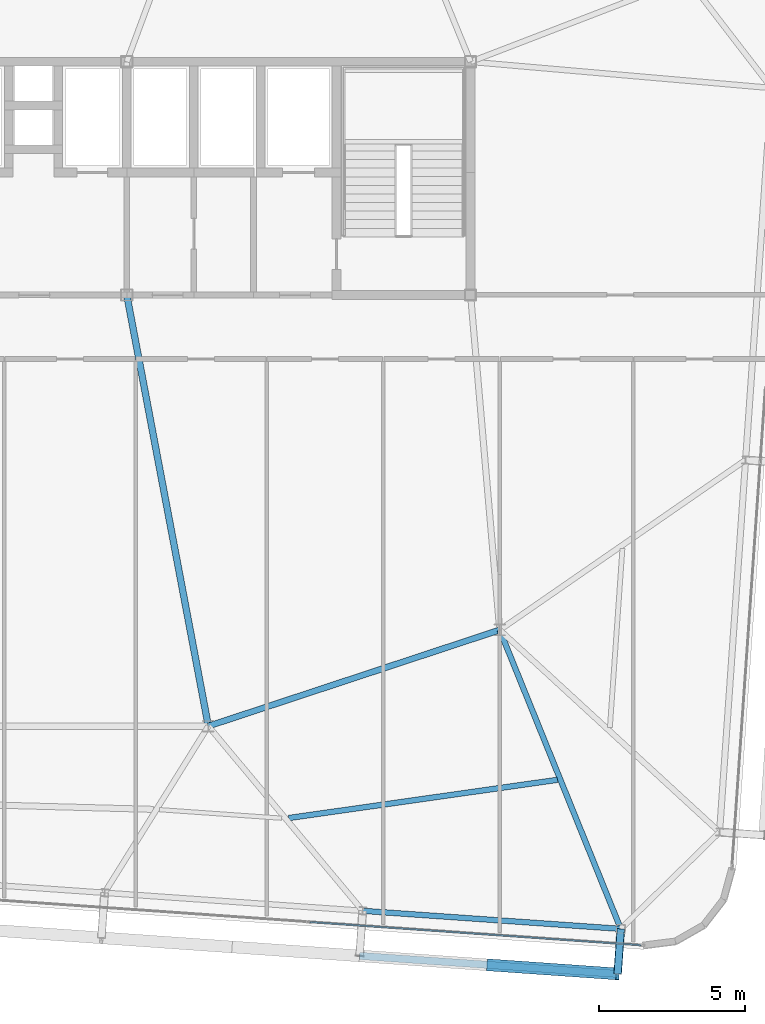
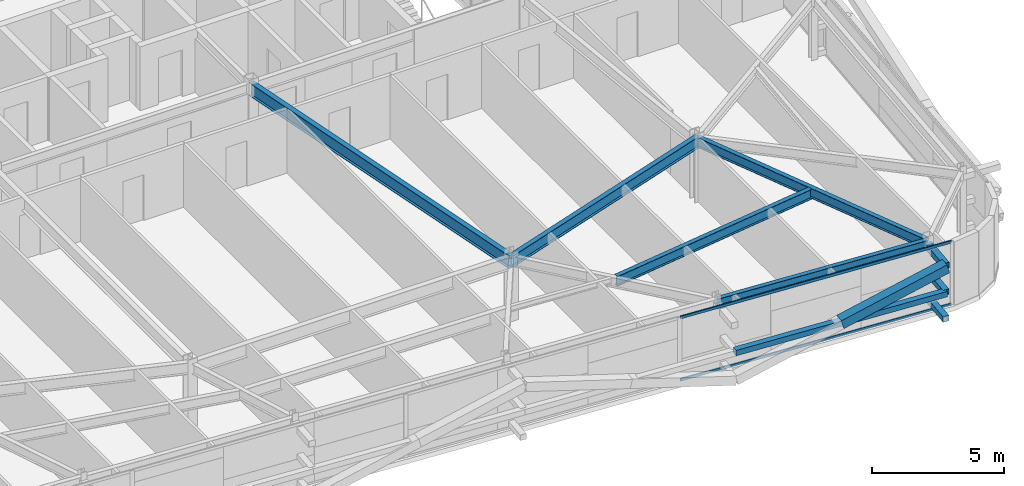
# One storey, part 14 of 39: 7 members, 5 beams, 1 element without a shape of its own.
"""IFC4 building model written with IfcOpenShell, lengths in metres."""

from ifc_helpers import new_model, si_unit, direction, frame, origin, origin_2d, place, context, subcontext, project, spatial, hollow_rectangle, i_section, extrude, source, transform, mapped, material, layer, layer_set, material_profile, profile_set, type_object, element, aggregate, save


model = new_model("IFC4")

# Units and contexts
model_context = context("Model", 3, precision=1e-05, world=origin(), true_north=direction((0.0, 1.0)))
body_context = subcontext(model_context, "Body", "Model", "MODEL_VIEW")
ifc_project = project(units=[si_unit("LENGTHUNIT", "METRE"), si_unit("AREAUNIT", "SQUARE_METRE"), si_unit("VOLUMEUNIT", "CUBIC_METRE"), si_unit("PLANEANGLEUNIT", "RADIAN"), si_unit("MASSUNIT", "GRAM", prefix="KILO")], contexts=[model_context])

# Site, building, storey
site_placement = place(None, origin())
site = spatial("IfcSite", under=ifc_project, at=site_placement, CompositionType="ELEMENT")
building_placement = place(site_placement, origin())
building = spatial("IfcBuilding", under=site, at=building_placement, Name="Taldren Reach Tower", CompositionType="ELEMENT")
storey_placement = place(building_placement, frame((0.0, 0.0, 158.199951171875)))
storey = spatial("IfcBuildingStorey", under=building, at=storey_placement, Name="L48", CompositionType="ELEMENT", Elevation=158.199951171875)

# Beams
ifc_material_1 = material(Name="Steel Gr 350 (350PLUS)", Category="steel")
ifc_material_profile_1 = material_profile(ifc_material_1, i_section(OverallWidth=0.208984375, OverallDepth=0.532958984375, WebThickness=0.01025390625, FlangeThickness=0.015625, at=origin_2d()), Name="530UB92.4")
ifc_profile_set_1 = profile_set([ifc_material_profile_1], Name="Steel Gr 350 (350PLUS)")
beam_type_1 = type_object("IfcBeamType", Name="BM-UB530A", PredefinedType="BEAM", material=ifc_profile_set_1)
shared_shape_1 = source(origin(), body_context, "Body", "SweptSolid", [
    extrude(i_section(OverallWidth=0.208984375, OverallDepth=0.532958984375, WebThickness=0.01025390625, FlangeThickness=0.015625, at=origin_2d()), origin(), (0.0, 0.0, 1.0), 10.530517578125),
])
beam_1_placement = place(storey_placement, frame((42.0, 9.199951171875, 2.66357421875), z_axis=(0.949627269203, 0.313381635689, 0.0), x_axis=(-0.313381635689, 0.949627269203, 0.0)))
element("IfcBeam", 1, at=beam_1_placement, inside=storey, type_object=beam_type_1, Name="Core-spine girder L48-SP12", PredefinedType="BEAM", context=body_context, shape_type="MappedRepresentation", body=[
    mapped(shared_shape_1, transform((0.0, 0.0, 0.0), scale=1.0)),
])
ifc_material_profile_2 = material_profile(ifc_material_1, i_section(OverallWidth=0.22802734375, OverallDepth=0.60205078125, WebThickness=0.010498046875, FlangeThickness=0.014892578125, at=origin_2d()), Name="610UB101")
ifc_profile_set_2 = profile_set([ifc_material_profile_2], Name="Steel Gr 350 (350PLUS)")
beam_type_2 = type_object("IfcBeamType", Name="BM-UB610B", PredefinedType="BEAM", material=ifc_profile_set_2)
shared_shape_2 = source(origin(), body_context, "Body", "SweptSolid", [
    extrude(i_section(OverallWidth=0.22802734375, OverallDepth=0.60205078125, WebThickness=0.010498046875, FlangeThickness=0.014892578125, at=origin_2d()), origin(), (0.0, 0.0, 1.0), 15.0625),
])
beam_2_placement = place(storey_placement, frame((39.199951171875, 24.0, 2.629150390625), z_axis=(0.185894205668, -0.982569765614, 0.0), x_axis=(0.982569765614, 0.185894205668, 0.0)))
element("IfcBeam", 2, at=beam_2_placement, inside=storey, type_object=beam_type_2, Name="Core-spine girder L48-SP15", PredefinedType="BEAM", context=body_context, shape_type="MappedRepresentation", body=[
    mapped(shared_shape_2, transform((0.0, 0.0, 0.0), scale=1.0)),
])

# Members
ifc_material_2 = material(Name="Steel Gr 450 (C450L0)", Category="steel")
ifc_material_profile_3 = material_profile(ifc_material_2, hollow_rectangle(XDim=0.27490234375, YDim=0.27490234375, WallThickness=0.00927734375, at=origin_2d()), Name="275x275x9.3SHS")
ifc_profile_set_3 = profile_set([ifc_material_profile_3], Name="Steel Gr 450 (C450L0)")
member_type_1 = type_object("IfcMemberType", Name="MB-TIE273", PredefinedType="STRUT", material=ifc_profile_set_3)
shared_shape_3 = source(origin(), body_context, "Body", "SweptSolid", [
    extrude(hollow_rectangle(XDim=0.27490234375, YDim=0.27490234375, WallThickness=0.00927734375, at=origin_2d()), origin(), (0.0, 0.0, 1.0), 1.5498046875),
])
member_1_placement = place(storey_placement, frame((56.155517578125, 2.2412109375, 2.650146484375), z_axis=(-0.069780535098, -0.997562367434, 0.0), x_axis=(0.997562367434, -0.069780535098, 0.0)))
element("IfcMember", 3, at=member_1_placement, inside=storey, type_object=member_type_1, Name="Exoskeleton diaphragm tie strut B3-S6 L48", PredefinedType="STRUT", context=body_context, shape_type="MappedRepresentation", body=[
    mapped(shared_shape_3, transform((0.0, 0.0, 0.0), scale=1.0)),
])
ifc_material_3 = material(Name="Steel Gr 350 (C350L0)", Category="steel")
ifc_material_profile_4 = material_profile(ifc_material_3, hollow_rectangle(XDim=0.25, YDim=0.25, WallThickness=0.010009765625, at=origin_2d()), Name="250x250x10.0SHS")
ifc_profile_set_4 = profile_set([ifc_material_profile_4], Name="Steel Gr 350 (C350L0)")
member_type_2 = type_object("IfcMemberType", Name="MB-POST250", PredefinedType="POST", material=ifc_profile_set_4)
shared_shape_4 = source(origin(), body_context, "Body", "SweptSolid", [
    extrude(hollow_rectangle(XDim=0.25, YDim=0.25, WallThickness=0.010009765625, at=origin_2d()), origin(), (0.0, 0.0, 1.0), 1.5498046875),
])
for number, where, z_axis, x_axis, name in (
    (4, (56.155517578125, 2.2412109375, 0.219970703125), (-0.069780535098, -0.997562367434, 0.0), (0.997562367434, -0.069780535098, 0.0), "Exoskeleton base diaphragm tie strut B3-S6 L48"),
    (5, (56.155517578125, 2.2412109375, 1.43505859375), (-0.069780535098, -0.997562367434, 0.0), (0.997562367434, -0.069780535098, 0.0), "Exoskeleton mid-tier diaphragm tie B3-S6 L48"),
):
    element("IfcMember", number, at=place(storey_placement, frame(where, z_axis=z_axis, x_axis=x_axis)), inside=storey, type_object=member_type_2, Name=name, PredefinedType="POST", context=body_context, shape_type="MappedRepresentation", body=[
        mapped(shared_shape_4, transform((0.0, 0.0, 0.0), scale=1.0)),
    ])

# Beams
ifc_material_profile_5 = material_profile(ifc_material_1, i_section(OverallWidth=0.18994140625, OverallDepth=0.4541015625, WebThickness=0.008544921875, FlangeThickness=0.0126953125, at=origin_2d()), Name="460UB67.1")
ifc_profile_set_5 = profile_set([ifc_material_profile_5], Name="Steel Gr 350 (350PLUS)")
beam_type_3 = type_object("IfcBeamType", Name="SP-UB460B", PredefinedType="SPANDREL", material=ifc_profile_set_5)
shared_shape_5 = source(origin(), body_context, "Body", "SweptSolid", [
    extrude(i_section(OverallWidth=0.18994140625, OverallDepth=0.4541015625, WebThickness=0.008544921875, FlangeThickness=0.0126953125, at=origin_2d()), origin(), (0.0, 0.0, 1.0), 8.880126953125),
])
beam_3_placement = place(storey_placement, frame((47.297119140625, 2.860595703125, 2.703125), z_axis=(0.997564479639, -0.069750333063, 0.0), x_axis=(0.069750333063, 0.997564479639, 0.0)))
element("IfcBeam", 6, at=beam_3_placement, inside=storey, type_object=beam_type_3, Name="Perimeter spandrel B3 S5-S6 L48", PredefinedType="SPANDREL", context=body_context, shape_type="MappedRepresentation", body=[
    mapped(shared_shape_5, transform((0.0, 0.0, 0.0), scale=1.0)),
])
ifc_material_profile_6 = material_profile(ifc_material_1, i_section(OverallWidth=0.19091796875, OverallDepth=0.4599609375, WebThickness=0.010009765625, FlangeThickness=0.01611328125, at=origin_2d()), Name="460UB82.1")
ifc_profile_set_6 = profile_set([ifc_material_profile_6], Name="Steel Gr 350 (350PLUS)")
beam_type_4 = type_object("IfcBeamType", Name="BM-UB460A", PredefinedType="BEAM", material=ifc_profile_set_6)
shared_shape_6 = source(origin(), body_context, "Body", "SweptSolid", [
    extrude(i_section(OverallWidth=0.19091796875, OverallDepth=0.4599609375, WebThickness=0.010009765625, FlangeThickness=0.01611328125, at=origin_2d()), origin(), (0.0, 0.0, 1.0), 11.068359375),
])
beam_4_placement = place(storey_placement, frame((52.0, 12.5, 2.699951171875), z_axis=(0.375437319636, -0.92684778633, 0.0), x_axis=(0.92684778633, 0.375437319636, 0.0)))
element("IfcBeam", 7, at=beam_4_placement, inside=storey, type_object=beam_type_4, Name="Primary floor girder B3-S6 L48", PredefinedType="BEAM", context=body_context, shape_type="MappedRepresentation", body=[
    mapped(shared_shape_6, transform((0.0, 0.0, 0.0), scale=1.0)),
])
shared_shape_7 = source(origin(), body_context, "Body", "SweptSolid", [
    extrude(i_section(OverallWidth=0.19091796875, OverallDepth=0.4599609375, WebThickness=0.010009765625, FlangeThickness=0.01611328125, at=origin_2d()), origin(), (0.0, 0.0, 1.0), 9.313232421875),
])
beam_5_placement = place(storey_placement, frame((44.759765625, 6.046142578125, 2.699951171875), z_axis=(0.990049385514, 0.140720340547, 0.0), x_axis=(-0.140720340547, 0.990049385514, 0.0)))
element("IfcBeam", 8, at=beam_5_placement, inside=storey, type_object=beam_type_4, Name="Secondary floor beam B3 J5 L48", PredefinedType="BEAM", context=body_context, shape_type="MappedRepresentation", body=[
    mapped(shared_shape_7, transform((0.0, 0.0, 0.0), scale=1.0)),
])

# Members
shared_shape_8 = source(origin(), body_context, "Body", "SweptSolid", [
    extrude(hollow_rectangle(XDim=0.25, YDim=0.25, WallThickness=0.010009765625, at=origin_2d()), origin(), (0.0, 0.0, 1.0), 8.880126953125),
])
member_2_placement = place(storey_placement, frame((47.18896484375, 1.314453125, 1.43505859375), z_axis=(0.997564479639, -0.069750333063, 0.0), x_axis=(0.069750333063, 0.997564479639, 0.0)))
element("IfcMember", 9, at=member_2_placement, inside=storey, type_object=member_type_2, Name="Exoskeleton mid-height ring chord B3-S5 L48", PredefinedType="POST", context=body_context, shape_type="MappedRepresentation", body=[
    mapped(shared_shape_8, transform((0.0, 0.0, 0.0), scale=1.0)),
])
ifc_material_profile_7 = material_profile(ifc_material_2, hollow_rectangle(XDim=0.409912109375, YDim=0.409912109375, WallThickness=0.01611328125, at=origin_2d()), Name="410x410x16.0SHS")
ifc_profile_set_7 = profile_set([ifc_material_profile_7], Name="Steel Gr 450 (C450L0)")
member_type_3 = type_object("IfcMemberType", Name="MB-EXO406", PredefinedType="BRACE", material=ifc_profile_set_7)
shared_shape_9 = source(origin(), body_context, "Body", "SweptSolid", [
    extrude(hollow_rectangle(XDim=0.409912109375, YDim=0.409912109375, WallThickness=0.01611328125, at=origin_2d()), origin(), (0.0, 0.0, 1.0), 4.603271484375),
])
member_3_placement = place(storey_placement, frame((51.6181640625, 1.004638671875, 1.43505859375), z_axis=(0.962185784239, -0.067250114343, 0.263962002434), x_axis=(0.069722973508, 0.997566392259, 0.0)))
element("IfcMember", 10, at=member_3_placement, inside=storey, type_object=member_type_3, Name="Exoskeleton Diagrid Brace B3-S5 L48", PredefinedType="BRACE", context=body_context, shape_type="MappedRepresentation", body=[
    mapped(shared_shape_9, transform((0.0, 0.0, 0.0), scale=1.0)),
])

# Curtain wall, members
ifc_material_4 = material(Name="Aluminium and Low-E Glass Unitised System", Category="aluminium")
ifc_layer = layer(ifc_material_4, 0.159912109375)
ifc_layer_set = layer_set([ifc_layer], Name="Aluminium and Low-E Glass Unitised System")
curtain_wall_type = type_object("IfcCurtainWallType", Name="CW-SYS-4", PredefinedType="NOTDEFINED", material=ifc_layer_set)
curtain_wall_placement = place(storey_placement, origin())
curtain_wall = element("IfcCurtainWall", 11, at=curtain_wall_placement, inside=storey, type_object=curtain_wall_type, Name="Unitised curtain wall CW-L48-S", PredefinedType="NOTDEFINED")
ifc_material_5 = material(Name="Anodised Aluminium 6063-T6", Category="aluminium")
ifc_material_profile_8 = material_profile(ifc_material_5, hollow_rectangle(XDim=0.054931640625, YDim=0.1201171875, WallThickness=0.0029296875, at=origin_2d()), Name="ALU-120x55x3RHS")
ifc_profile_set_8 = profile_set([ifc_material_profile_8], Name="Anodised Aluminium 6063-T6")
member_type_4 = type_object("IfcMemberType", Name="CW-TRN-135", PredefinedType="USERDEFINED", material=ifc_profile_set_8)
shared_shape_10 = source(origin(), body_context, "Body", "SweptSolid", [
    extrude(hollow_rectangle(XDim=0.054931640625, YDim=0.1201171875, WallThickness=0.0029296875, at=origin_2d()), origin(), (0.0, 0.0, 1.0), 11.395263671875),
])
member_4_placement = place(storey_placement, frame((45.480712890625, 2.476318359375, 0.027587890625), z_axis=(0.997565335668, -0.069738089122, 0.0), x_axis=(0.069738089122, 0.997565335668, 0.0)))
member_4 = element("IfcMember", 12, at=member_4_placement, type_object=member_type_4, Name="CW-4 transom 4.1", ObjectType="TRANSOM", PredefinedType="USERDEFINED", context=body_context, shape_type="MappedRepresentation", body=[
    mapped(shared_shape_10, transform((0.0, 0.0, 0.0), scale=1.0)),
])
member_5_placement = place(storey_placement, frame((45.480712890625, 2.476318359375, 2.902587890625), z_axis=(0.997565335668, -0.069738089122, 0.0), x_axis=(0.069738089122, 0.997565335668, 0.0)))
member_5 = element("IfcMember", 13, at=member_5_placement, type_object=member_type_4, Name="CW-4 transom 4.2", ObjectType="TRANSOM", PredefinedType="USERDEFINED", context=body_context, shape_type="MappedRepresentation", body=[
    mapped(shared_shape_10, transform((0.0, 0.0, 0.0), scale=1.0)),
])
aggregate(curtain_wall, [member_4, member_5])

save(model, "model.ifc")
